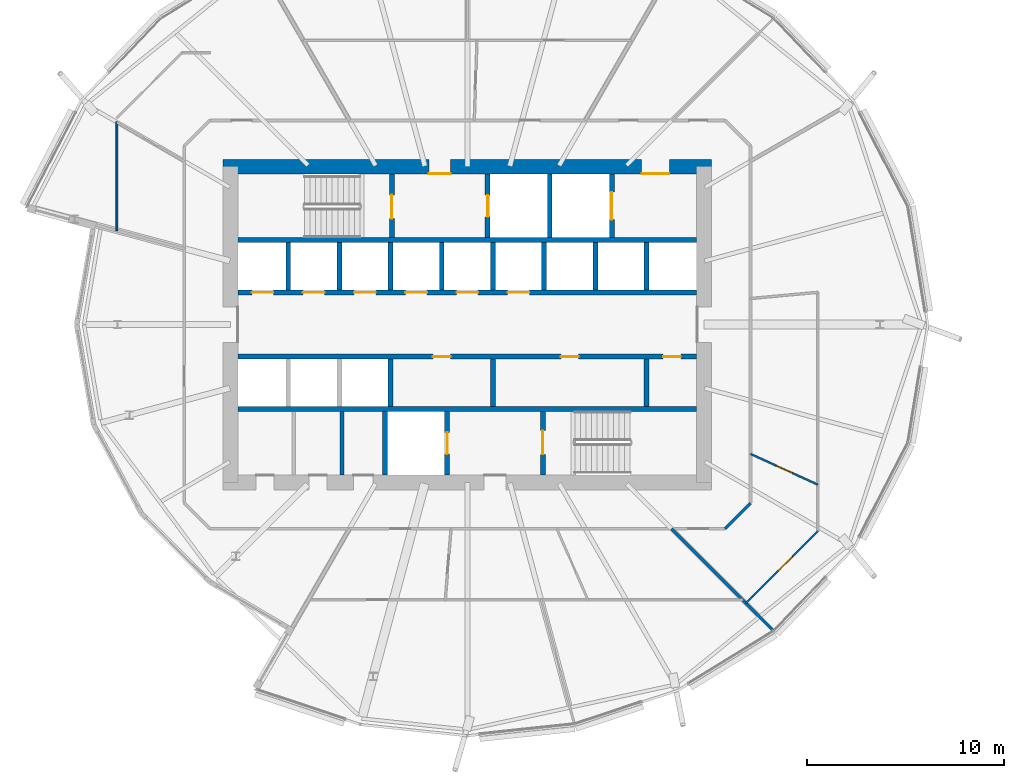
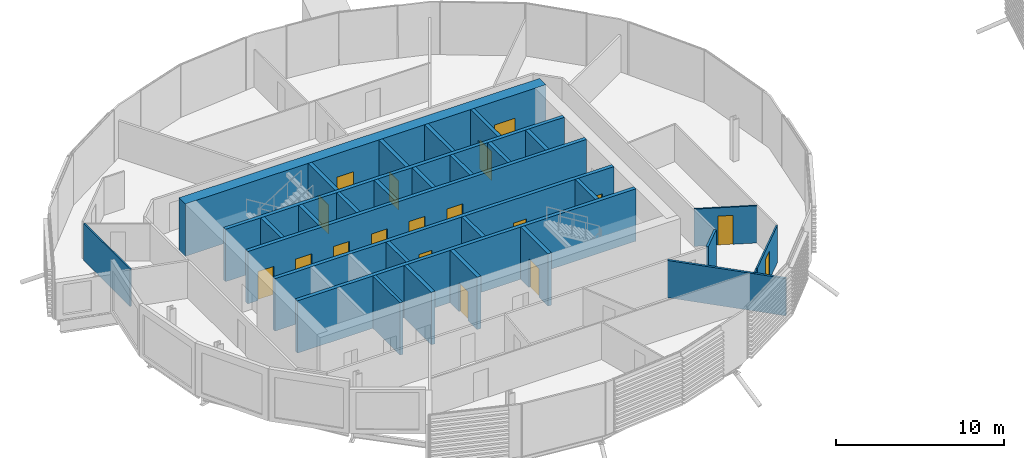
# One storey, part 22 of 38: 30 walls, 18 doors, 18 openings.
"""IFC4 building model written with IfcOpenShell, lengths in metres."""

from ifc_helpers import new_model, si_unit, direction, frame, frame_2d, origin, place, context, subcontext, project, spatial, rectangle, extrude, material, layer, layer_set, type_object, element, fill, save


model = new_model("IFC4")

# Units and contexts
model_context = context("Model", 3, precision=1e-05, world=origin(), true_north=direction((0.0, 1.0)))
body_context = subcontext(model_context, "Body", "Model", "MODEL_VIEW")
ifc_project = project(units=[si_unit("LENGTHUNIT", "METRE"), si_unit("AREAUNIT", "SQUARE_METRE"), si_unit("VOLUMEUNIT", "CUBIC_METRE"), si_unit("PLANEANGLEUNIT", "RADIAN"), si_unit("MASSUNIT", "GRAM", prefix="KILO")], contexts=[model_context])

# Site, building, storey
site_placement = place(None, origin())
site = spatial("IfcSite", under=ifc_project, at=site_placement, CompositionType="ELEMENT")
building_placement = place(site_placement, origin())
building = spatial("IfcBuilding", under=site, at=building_placement, Name="Rimbun Link Towers", CompositionType="ELEMENT")
storey_placement = place(building_placement, frame((0.0, 0.0, 108.199951171875)))
storey = spatial("IfcBuildingStorey", under=building, at=storey_placement, Name="L26", CompositionType="ELEMENT", Elevation=108.199951171875)

# Wall
ifc_material_1 = material(Name="Masonry blockwork", Category="masonry")
ifc_layer_1 = layer(ifc_material_1, 0.199951171875)
ifc_layer_set_1 = layer_set([ifc_layer_1], Name="Core partition 200")
wall_type_1 = type_object("IfcWallType", Name="Core partition 200", PredefinedType="PARTITIONING", material=ifc_layer_set_1)
wall_1_placement = place(storey_placement, frame((-38.10009765625, -4.39990234375, 0.0), z_axis=(0.0, 0.0, 1.0), x_axis=(0.0, -1.0, 0.0)))
element("IfcWall", 1, at=wall_1_placement, inside=storey, type_object=wall_type_1, Name="L26 T1 core wall C2", PredefinedType="PARTITIONING", context=body_context, shape_type="SweptSolid", body=[
    extrude(rectangle(XDim=3.22509765625, YDim=0.199951171875, at=frame_2d((1.612548828125, 0.0))), origin(), (0.0, 0.0, 1.0), 3.800048828125),
])

# Wall, openings, doors
ifc_material_2 = material(Name="Concrete C60/75", Category="concrete")
ifc_layer_2 = layer(ifc_material_2, 0.75)
ifc_layer_set_2 = layer_set([ifc_layer_2], Name="Core shear wall 750")
wall_type_2 = type_object("IfcWallType", Name="Core shear wall 750", PredefinedType="SHEAR", material=ifc_layer_set_2)
wall_2_placement = place(storey_placement, frame((-44.125, 8.0, 0.0), z_axis=(0.0, 0.0, 1.0), x_axis=(1.0, 0.0, 0.0)))
wall_2 = element("IfcWall", 2, at=wall_2_placement, inside=storey, type_object=wall_type_2, Name="L26 T1 core wall N", PredefinedType="SHEAR", context=body_context, shape_type="SweptSolid", body=[
    extrude(rectangle(XDim=24.75, YDim=0.75, at=frame_2d((12.375, 0.0))), origin(), (0.0, 0.0, 1.0), 3.800048828125),
])
opening_1_placement = place(wall_2_placement, frame((10.425048828125, 0.0, 0.0)))
opening_1 = element("IfcOpeningElement", 3, at=opening_1_placement, cuts=wall_2, Name="Opening C1DCF01N", PredefinedType="OPENING", context=body_context, shape_type="SweptSolid", body=[
    extrude(rectangle(XDim=1.10009765625, YDim=2.10009765625, at=frame_2d((0.550048828125, 1.050048828125))), frame((0.0, 0.385009765625, 0.0), z_axis=(0.0, -1.0, 0.0), x_axis=(1.0, 0.0, 0.0)), (0.0, 0.0, 1.0), 0.77001953125),
])
opening_2_placement = place(wall_2_placement, frame((21.21240234375, 0.0, 0.0)))
opening_2 = element("IfcOpeningElement", 4, at=opening_2_placement, cuts=wall_2, Name="Opening C1DSL02N", PredefinedType="OPENING", context=body_context, shape_type="SweptSolid", body=[
    extrude(rectangle(XDim=1.39990234375, YDim=2.10009765625, at=frame_2d((0.699951171875, 1.050048828125))), frame((0.0, 0.385009765625, 0.0), z_axis=(0.0, -1.0, 0.0), x_axis=(1.0, 0.0, 0.0)), (0.0, 0.0, 1.0), 0.77001953125),
])
ifc_material_3 = material(Name="Steel fire door set", Category="steel")
door_type_1 = type_object("IfcDoorType", Name="Core fire door single", OperationType="SINGLE_SWING_LEFT", PredefinedType="DOOR", material=ifc_material_3)
door_1_placement = place(opening_1_placement, origin())
door_1 = element("IfcDoor", 5, at=door_1_placement, inside=storey, type_object=door_type_1, Name="L26 T1 firefighting lobby n door", OperationType="SINGLE_SWING_LEFT", OverallHeight=2.10009765625, OverallWidth=1.10009765625, PredefinedType="DOOR", context=body_context, shape_type="SweptSolid", body=[
    extrude(rectangle(XDim=1.10009765625, YDim=2.10009765625, at=frame_2d((0.550048828125, 1.050048828125))), frame((0.0, -0.3251953125, 0.0), z_axis=(0.0, -1.0, 0.0), x_axis=(1.0, 0.0, 0.0)), (0.0, 0.0, 1.0), 0.050048828125),
])
fill(opening_1, door_1)
ifc_material_4 = material(Name="Steel fire door set", Category="steel")
door_type_2 = type_object("IfcDoorType", Name="Service lobby door double", OperationType="DOUBLE_DOOR_SINGLE_SWING", PredefinedType="DOOR", material=ifc_material_4)
door_2_placement = place(opening_2_placement, origin())
door_2 = element("IfcDoor", 6, at=door_2_placement, inside=storey, type_object=door_type_2, Name="L26 T1 service lobby door", OperationType="DOUBLE_DOOR_SINGLE_SWING", OverallHeight=2.10009765625, OverallWidth=1.39990234375, PredefinedType="DOOR", context=body_context, shape_type="SweptSolid", body=[
    extrude(rectangle(XDim=1.39990234375, YDim=2.10009765625, at=frame_2d((0.699951171875, 1.050048828125))), frame((0.0, -0.3251953125, 0.0), z_axis=(0.0, -1.0, 0.0), x_axis=(1.0, 0.0, 0.0)), (0.0, 0.0, 1.0), 0.050048828125),
])
fill(opening_2, door_2)

# Wall
ifc_material_5 = material(Name="Plasterboard on steel stud, mineral wool", Category="steel")
ifc_layer_3 = layer(ifc_material_5, 0.14990234375)
ifc_layer_set_3 = layer_set([ifc_layer_3], Name="Corridor wall EI 30 150 mm")
wall_type_3 = type_object("IfcWallType", Name="Corridor wall EI 30 150 mm", PredefinedType="PARTITIONING", material=ifc_layer_set_3)
wall_3_placement = place(storey_placement, frame((-18.6982421875, -10.35009765625, 0.0), z_axis=(0.0, 0.0, 1.0), x_axis=(0.707106781187, 0.707106781187, 0.0)))
element("IfcWall", 7, at=wall_3_placement, inside=storey, type_object=wall_type_3, Name="Corridor wall EI 30 150 mm", PredefinedType="PARTITIONING", context=body_context, shape_type="SweptSolid", body=[
    extrude(rectangle(XDim=1.836181640625, YDim=0.14990234375, at=frame_2d((0.91796875, 0.0))), origin(), (0.0, 0.0, 1.0), 2.7021484375),
])

# Wall, opening, door
ifc_material_6 = material(Name="Plasterboard on steel stud", Category="steel")
ifc_layer_4 = layer(ifc_material_6, 0.10009765625)
ifc_layer_set_4 = layer_set([ifc_layer_4], Name="Plasterboard partition 100 mm")
wall_type_4 = type_object("IfcWallType", Name="Plasterboard partition 100 mm", PredefinedType="PARTITIONING", material=ifc_layer_set_4)
wall_4_placement = place(storey_placement, frame((-17.39990234375, -6.555908203125, 0.0), z_axis=(0.0, 0.0, 1.0), x_axis=(0.909564245238, -0.415563333061, 0.0)))
wall_4 = element("IfcWall", 8, at=wall_4_placement, inside=storey, type_object=wall_type_4, Name="Plasterboard partition 100 mm", PredefinedType="PARTITIONING", context=body_context, shape_type="SweptSolid", body=[
    extrude(rectangle(XDim=3.760009765625, YDim=0.10009765625, at=frame_2d((1.8798828125, 0.0))), origin(), (0.0, 0.0, 1.0), 2.7021484375),
])
opening_3_placement = place(wall_4_placement, frame((1.429931640625, 0.0, 0.0)))
opening_3 = element("IfcOpeningElement", 9, at=opening_3_placement, cuts=wall_4, Name="Opening D04", PredefinedType="OPENING", context=body_context, shape_type="SweptSolid", body=[
    extrude(rectangle(XDim=0.89990234375, YDim=2.10009765625, at=frame_2d((0.449951171875, 1.050048828125))), frame((0.0, 0.06005859375, 0.0), z_axis=(0.0, -1.0, 0.0), x_axis=(1.0, 0.0, 0.0)), (0.0, 0.0, 1.0), 0.1201171875),
])
ifc_material_7 = material(Name="Timber door leaf", Category="wood")
door_type_3 = type_object("IfcDoorType", Name="Flush door 900", OperationType="NOTDEFINED", PredefinedType="DOOR", material=ifc_material_7)
door_3_placement = place(opening_3_placement, origin())
door_3 = element("IfcDoor", 10, at=door_3_placement, inside=storey, type_object=door_type_3, Name="Flush door 900 to Meeting room", OperationType="SINGLE_SWING_LEFT", OverallHeight=2.10009765625, OverallWidth=0.89990234375, PredefinedType="DOOR", context=body_context, shape_type="SweptSolid", body=[
    extrude(rectangle(XDim=0.89990234375, YDim=2.10009765625, at=frame_2d((0.449951171875, 1.050048828125))), frame((0.0, 0.02490234375, 0.0), z_axis=(0.0, -1.0, 0.0), x_axis=(1.0, 0.0, 0.0)), (0.0, 0.0, 1.0), 0.050048828125),
])
fill(opening_3, door_3)

wall_5_placement = place(storey_placement, frame((-13.97998046875, -10.46826171875, 0.0), z_axis=(0.0, 0.0, 1.0), x_axis=(-0.707106781187, -0.707106781187, 0.0)))
wall_5 = element("IfcWall", 11, at=wall_5_placement, inside=storey, type_object=wall_type_4, Name="Plasterboard partition 100 mm", PredefinedType="PARTITIONING", context=body_context, shape_type="SweptSolid", body=[
    extrude(rectangle(XDim=4.66943359375, YDim=0.10009765625, at=frame_2d((2.334716796875, 0.0))), origin(), (0.0, 0.0, 1.0), 2.7021484375),
])
opening_4_placement = place(wall_5_placement, frame((1.834716796875, 0.0, 0.0)))
opening_4 = element("IfcOpeningElement", 12, at=opening_4_placement, cuts=wall_5, Name="Opening D03", PredefinedType="OPENING", context=body_context, shape_type="SweptSolid", body=[
    extrude(rectangle(XDim=1.0, YDim=2.10009765625, at=frame_2d((0.5, 1.050048828125))), frame((0.0, 0.06005859375, 0.0), z_axis=(0.0, -1.0, 0.0), x_axis=(1.0, 0.0, 0.0)), (0.0, 0.0, 1.0), 0.1201171875),
])
ifc_material_8 = material(Name="Timber door leaf", Category="wood")
door_type_4 = type_object("IfcDoorType", Name="Flush door 1000", OperationType="NOTDEFINED", PredefinedType="DOOR", material=ifc_material_8)
door_4_placement = place(opening_4_placement, origin())
door_4 = element("IfcDoor", 13, at=door_4_placement, inside=storey, type_object=door_type_4, Name="Flush door 1000 to Open office", OperationType="SINGLE_SWING_RIGHT", OverallHeight=2.10009765625, OverallWidth=1.0, PredefinedType="DOOR", context=body_context, shape_type="SweptSolid", body=[
    extrude(rectangle(XDim=1.0, YDim=2.10009765625, at=frame_2d((0.5, 1.050048828125))), frame((0.0, 0.02490234375, 0.0), z_axis=(0.0, -1.0, 0.0), x_axis=(1.0, 0.0, 0.0)), (0.0, 0.0, 1.0), 0.050048828125),
])
fill(opening_4, door_4)

# Walls
wall_6_placement = place(storey_placement, frame((-17.630859375, -14.119140625, 0.0), z_axis=(0.0, 0.0, 1.0), x_axis=(0.707106781187, 0.707106781187, 0.0)))
element("IfcWall", 14, at=wall_6_placement, inside=storey, type_object=wall_type_4, Name="Plasterboard partition 100 mm", PredefinedType="PARTITIONING", context=body_context, shape_type="SweptSolid", body=[
    extrude(rectangle(XDim=0.49365234375, YDim=0.10009765625, at=frame_2d((0.246826171875, 0.0))), origin(), (0.0, 0.0, 1.0), 2.7021484375),
])
wall_7_placement = place(storey_placement, frame((-49.52001953125, 10.2705078125, 0.0), z_axis=(0.0, 0.0, 1.0), x_axis=(0.0, -1.0, 0.0)))
element("IfcWall", 15, at=wall_7_placement, inside=storey, type_object=wall_type_4, Name="Plasterboard partition 100 mm", PredefinedType="PARTITIONING", context=body_context, shape_type="SweptSolid", body=[
    extrude(rectangle(XDim=5.509033203125, YDim=0.10009765625, at=frame_2d((2.75439453125, 0.0))), origin(), (0.0, 0.0, 1.0), 2.7021484375),
])
ifc_material_9 = material(Name="Concrete C60/75", Category="concrete")
ifc_layer_5 = layer(ifc_material_9, 0.25)
ifc_layer_set_5 = layer_set([ifc_layer_5], Name="Shaft wall 250")
wall_type_5 = type_object("IfcWallType", Name="Shaft wall 250", PredefinedType="SHEAR", material=ifc_layer_set_5)
for number, where, z_axis, x_axis, name in (
    (16, (-43.375, 4.27490234375, 0.0), (0.0, 0.0, 1.0), (1.0, 0.0, 0.0), "L26 T1 core wall BN"),
    (17, (-43.375, -4.27490234375, 0.0), (0.0, 0.0, 1.0), (1.0, 0.0, 0.0), "L26 T1 core wall BS"),
):
    element("IfcWall", number, at=place(storey_placement, frame(where, z_axis=z_axis, x_axis=x_axis)), inside=storey, type_object=wall_type_5, Name=name, PredefinedType="SHEAR", context=body_context, shape_type="SweptSolid", body=[
        extrude(rectangle(XDim=23.25, YDim=0.25, at=frame_2d((11.625, 0.0))), origin(), (0.0, 0.0, 1.0), 3.800048828125),
    ])

# Wall, openings, doors
wall_8_placement = place(storey_placement, frame((-43.375, 1.625, 0.0), z_axis=(0.0, 0.0, 1.0), x_axis=(1.0, 0.0, 0.0)))
wall_8 = element("IfcWall", 18, at=wall_8_placement, inside=storey, type_object=wall_type_5, Name="L26 T1 core wall FN", PredefinedType="SHEAR", context=body_context, shape_type="SweptSolid", body=[
    extrude(rectangle(XDim=23.25, YDim=0.25, at=frame_2d((11.625, 0.0))), origin(), (0.0, 0.0, 1.0), 3.800048828125),
])
opening_5_placement = place(wall_8_placement, frame((0.697265625, 0.0, 0.0)))
opening_5 = element("IfcOpeningElement", 19, at=opening_5_placement, cuts=wall_8, Name="Opening LD-T1-LR1", PredefinedType="OPENING", context=body_context, shape_type="SweptSolid", body=[
    extrude(rectangle(XDim=1.10009765625, YDim=2.10009765625, at=frame_2d((0.550048828125, 1.050048828125))), frame((0.0, 0.135009765625, 0.0), z_axis=(0.0, -1.0, 0.0), x_axis=(1.0, 0.0, 0.0)), (0.0, 0.0, 1.0), 0.27001953125),
])
opening_6_placement = place(wall_8_placement, frame((3.291748046875, 0.0, 0.0)))
opening_6 = element("IfcOpeningElement", 20, at=opening_6_placement, cuts=wall_8, Name="Opening LD-T1-LR2", PredefinedType="OPENING", context=body_context, shape_type="SweptSolid", body=[
    extrude(rectangle(XDim=1.10009765625, YDim=2.10009765625, at=frame_2d((0.550048828125, 1.050048828125))), frame((0.0, 0.135009765625, 0.0), z_axis=(0.0, -1.0, 0.0), x_axis=(1.0, 0.0, 0.0)), (0.0, 0.0, 1.0), 0.27001953125),
])
opening_7_placement = place(wall_8_placement, frame((5.885986328125, 0.0, 0.0)))
opening_7 = element("IfcOpeningElement", 21, at=opening_7_placement, cuts=wall_8, Name="Opening LD-T1-LR3", PredefinedType="OPENING", context=body_context, shape_type="SweptSolid", body=[
    extrude(rectangle(XDim=1.10009765625, YDim=2.10009765625, at=frame_2d((0.550048828125, 1.050048828125))), frame((0.0, 0.135009765625, 0.0), z_axis=(0.0, -1.0, 0.0), x_axis=(1.0, 0.0, 0.0)), (0.0, 0.0, 1.0), 0.27001953125),
])
opening_8_placement = place(wall_8_placement, frame((8.480712890625, 0.0, 0.0)))
opening_8 = element("IfcOpeningElement", 22, at=opening_8_placement, cuts=wall_8, Name="Opening LD-T1-LR4", PredefinedType="OPENING", context=body_context, shape_type="SweptSolid", body=[
    extrude(rectangle(XDim=1.10009765625, YDim=2.10009765625, at=frame_2d((0.550048828125, 1.050048828125))), frame((0.0, 0.135009765625, 0.0), z_axis=(0.0, -1.0, 0.0), x_axis=(1.0, 0.0, 0.0)), (0.0, 0.0, 1.0), 0.27001953125),
])
opening_9_placement = place(wall_8_placement, frame((11.074951171875, 0.0, 0.0)))
opening_9 = element("IfcOpeningElement", 23, at=opening_9_placement, cuts=wall_8, Name="Opening LD-T1-LR5", PredefinedType="OPENING", context=body_context, shape_type="SweptSolid", body=[
    extrude(rectangle(XDim=1.10009765625, YDim=2.10009765625, at=frame_2d((0.550048828125, 1.050048828125))), frame((0.0, 0.135009765625, 0.0), z_axis=(0.0, -1.0, 0.0), x_axis=(1.0, 0.0, 0.0)), (0.0, 0.0, 1.0), 0.27001953125),
])
opening_10_placement = place(wall_8_placement, frame((13.66943359375, 0.0, 0.0)))
opening_10 = element("IfcOpeningElement", 24, at=opening_10_placement, cuts=wall_8, Name="Opening LD-T1-LR6", PredefinedType="OPENING", context=body_context, shape_type="SweptSolid", body=[
    extrude(rectangle(XDim=1.10009765625, YDim=2.10009765625, at=frame_2d((0.550048828125, 1.050048828125))), frame((0.0, 0.135009765625, 0.0), z_axis=(0.0, -1.0, 0.0), x_axis=(1.0, 0.0, 0.0)), (0.0, 0.0, 1.0), 0.27001953125),
])
ifc_material_10 = material(Name="Stainless steel grade 316", Category="steel")
door_type_5 = type_object("IfcDoorType", Name="Lift landing door", OperationType="DOUBLE_DOOR_SLIDING", PredefinedType="DOOR", material=ifc_material_10)
door_5_placement = place(opening_5_placement, origin())
door_5 = element("IfcDoor", 25, at=door_5_placement, inside=storey, type_object=door_type_5, Name="L26 T1 lift LR1 landing door", OperationType="DOUBLE_DOOR_SLIDING", OverallHeight=2.10009765625, OverallWidth=1.10009765625, PredefinedType="DOOR", context=body_context, shape_type="SweptSolid", body=[
    extrude(rectangle(XDim=1.10009765625, YDim=2.10009765625, at=frame_2d((0.550048828125, 1.050048828125))), frame((0.0, 0.02490234375, 0.0), z_axis=(0.0, -1.0, 0.0), x_axis=(1.0, 0.0, 0.0)), (0.0, 0.0, 1.0), 0.050048828125),
])
fill(opening_5, door_5)
door_6_placement = place(opening_6_placement, origin())
door_6 = element("IfcDoor", 26, at=door_6_placement, inside=storey, type_object=door_type_5, Name="L26 T1 lift LR2 landing door", OperationType="DOUBLE_DOOR_SLIDING", OverallHeight=2.10009765625, OverallWidth=1.10009765625, PredefinedType="DOOR", context=body_context, shape_type="SweptSolid", body=[
    extrude(rectangle(XDim=1.10009765625, YDim=2.10009765625, at=frame_2d((0.550048828125, 1.050048828125))), frame((0.0, 0.02490234375, 0.0), z_axis=(0.0, -1.0, 0.0), x_axis=(1.0, 0.0, 0.0)), (0.0, 0.0, 1.0), 0.050048828125),
])
fill(opening_6, door_6)
door_7_placement = place(opening_7_placement, origin())
door_7 = element("IfcDoor", 27, at=door_7_placement, inside=storey, type_object=door_type_5, Name="L26 T1 lift LR3 landing door", OperationType="DOUBLE_DOOR_SLIDING", OverallHeight=2.10009765625, OverallWidth=1.10009765625, PredefinedType="DOOR", context=body_context, shape_type="SweptSolid", body=[
    extrude(rectangle(XDim=1.10009765625, YDim=2.10009765625, at=frame_2d((0.550048828125, 1.050048828125))), frame((0.0, 0.02490234375, 0.0), z_axis=(0.0, -1.0, 0.0), x_axis=(1.0, 0.0, 0.0)), (0.0, 0.0, 1.0), 0.050048828125),
])
fill(opening_7, door_7)
door_8_placement = place(opening_8_placement, origin())
door_8 = element("IfcDoor", 28, at=door_8_placement, inside=storey, type_object=door_type_5, Name="L26 T1 lift LR4 landing door", OperationType="DOUBLE_DOOR_SLIDING", OverallHeight=2.10009765625, OverallWidth=1.10009765625, PredefinedType="DOOR", context=body_context, shape_type="SweptSolid", body=[
    extrude(rectangle(XDim=1.10009765625, YDim=2.10009765625, at=frame_2d((0.550048828125, 1.050048828125))), frame((0.0, 0.02490234375, 0.0), z_axis=(0.0, -1.0, 0.0), x_axis=(1.0, 0.0, 0.0)), (0.0, 0.0, 1.0), 0.050048828125),
])
fill(opening_8, door_8)
door_9_placement = place(opening_9_placement, origin())
door_9 = element("IfcDoor", 29, at=door_9_placement, inside=storey, type_object=door_type_5, Name="L26 T1 lift LR5 landing door", OperationType="DOUBLE_DOOR_SLIDING", OverallHeight=2.10009765625, OverallWidth=1.10009765625, PredefinedType="DOOR", context=body_context, shape_type="SweptSolid", body=[
    extrude(rectangle(XDim=1.10009765625, YDim=2.10009765625, at=frame_2d((0.550048828125, 1.050048828125))), frame((0.0, 0.02490234375, 0.0), z_axis=(0.0, -1.0, 0.0), x_axis=(1.0, 0.0, 0.0)), (0.0, 0.0, 1.0), 0.050048828125),
])
fill(opening_9, door_9)
door_10_placement = place(opening_10_placement, origin())
door_10 = element("IfcDoor", 30, at=door_10_placement, inside=storey, type_object=door_type_5, Name="L26 T1 lift LR6 landing door", OperationType="DOUBLE_DOOR_SLIDING", OverallHeight=2.10009765625, OverallWidth=1.10009765625, PredefinedType="DOOR", context=body_context, shape_type="SweptSolid", body=[
    extrude(rectangle(XDim=1.10009765625, YDim=2.10009765625, at=frame_2d((0.550048828125, 1.050048828125))), frame((0.0, 0.02490234375, 0.0), z_axis=(0.0, -1.0, 0.0), x_axis=(1.0, 0.0, 0.0)), (0.0, 0.0, 1.0), 0.050048828125),
])
fill(opening_10, door_10)

wall_9_placement = place(storey_placement, frame((-43.375, -1.625, 0.0), z_axis=(0.0, 0.0, 1.0), x_axis=(1.0, 0.0, 0.0)))
wall_9 = element("IfcWall", 31, at=wall_9_placement, inside=storey, type_object=wall_type_5, Name="L26 T1 core wall FS", PredefinedType="SHEAR", context=body_context, shape_type="SweptSolid", body=[
    extrude(rectangle(XDim=23.25, YDim=0.25, at=frame_2d((11.625, 0.0))), origin(), (0.0, 0.0, 1.0), 3.800048828125),
])
opening_11_placement = place(wall_9_placement, frame((9.877685546875, 0.0, 0.0)))
opening_11 = element("IfcOpeningElement", 32, at=opening_11_placement, cuts=wall_9, Name="Opening C1DRS01FS", PredefinedType="OPENING", context=body_context, shape_type="SweptSolid", body=[
    extrude(rectangle(XDim=0.89990234375, YDim=2.10009765625, at=frame_2d((0.449951171875, 1.050048828125))), frame((0.0, 0.135009765625, 0.0), z_axis=(0.0, -1.0, 0.0), x_axis=(1.0, 0.0, 0.0)), (0.0, 0.0, 1.0), 0.27001953125),
])
opening_12_placement = place(wall_9_placement, frame((16.364013671875, 0.0, 0.0)))
opening_12 = element("IfcOpeningElement", 33, at=opening_12_placement, cuts=wall_9, Name="Opening C1DRS02FS", PredefinedType="OPENING", context=body_context, shape_type="SweptSolid", body=[
    extrude(rectangle(XDim=0.89990234375, YDim=2.10009765625, at=frame_2d((0.449951171875, 1.050048828125))), frame((0.0, 0.135009765625, 0.0), z_axis=(0.0, -1.0, 0.0), x_axis=(1.0, 0.0, 0.0)), (0.0, 0.0, 1.0), 0.27001953125),
])
opening_13_placement = place(wall_9_placement, frame((21.552734375, 0.0, 0.0)))
opening_13 = element("IfcOpeningElement", 34, at=opening_13_placement, cuts=wall_9, Name="Opening C1DRS03FS", PredefinedType="OPENING", context=body_context, shape_type="SweptSolid", body=[
    extrude(rectangle(XDim=0.89990234375, YDim=2.10009765625, at=frame_2d((0.449951171875, 1.050048828125))), frame((0.0, 0.135009765625, 0.0), z_axis=(0.0, -1.0, 0.0), x_axis=(1.0, 0.0, 0.0)), (0.0, 0.0, 1.0), 0.27001953125),
])
ifc_material_11 = material(Name="Steel fire door set", Category="steel")
door_type_6 = type_object("IfcDoorType", Name="Core riser door", OperationType="SINGLE_SWING_LEFT", PredefinedType="DOOR", material=ifc_material_11)
door_11_placement = place(opening_11_placement, origin())
door_11 = element("IfcDoor", 35, at=door_11_placement, inside=storey, type_object=door_type_6, Name="L26 T1 pantry door", OperationType="SINGLE_SWING_LEFT", OverallHeight=2.10009765625, OverallWidth=0.89990234375, PredefinedType="DOOR", context=body_context, shape_type="SweptSolid", body=[
    extrude(rectangle(XDim=0.89990234375, YDim=2.10009765625, at=frame_2d((0.449951171875, 1.050048828125))), frame((0.0, 0.02490234375, 0.0), z_axis=(0.0, -1.0, 0.0), x_axis=(1.0, 0.0, 0.0)), (0.0, 0.0, 1.0), 0.050048828125),
])
fill(opening_11, door_11)
door_12_placement = place(opening_12_placement, origin())
door_12 = element("IfcDoor", 36, at=door_12_placement, inside=storey, type_object=door_type_6, Name="L26 T1 wellness room door", OperationType="SINGLE_SWING_LEFT", OverallHeight=2.10009765625, OverallWidth=0.89990234375, PredefinedType="DOOR", context=body_context, shape_type="SweptSolid", body=[
    extrude(rectangle(XDim=0.89990234375, YDim=2.10009765625, at=frame_2d((0.449951171875, 1.050048828125))), frame((0.0, 0.02490234375, 0.0), z_axis=(0.0, -1.0, 0.0), x_axis=(1.0, 0.0, 0.0)), (0.0, 0.0, 1.0), 0.050048828125),
])
fill(opening_12, door_12)
door_13_placement = place(opening_13_placement, origin())
door_13 = element("IfcDoor", 37, at=door_13_placement, inside=storey, type_object=door_type_6, Name="L26 T1 staff store door", OperationType="SINGLE_SWING_LEFT", OverallHeight=2.10009765625, OverallWidth=0.89990234375, PredefinedType="DOOR", context=body_context, shape_type="SweptSolid", body=[
    extrude(rectangle(XDim=0.89990234375, YDim=2.10009765625, at=frame_2d((0.449951171875, 1.050048828125))), frame((0.0, 0.02490234375, 0.0), z_axis=(0.0, -1.0, 0.0), x_axis=(1.0, 0.0, 0.0)), (0.0, 0.0, 1.0), 0.050048828125),
])
fill(opening_13, door_13)

# Walls
for number, where, z_axis, x_axis, name in (
    (38, (-40.83056640625, 1.75, 0.0), (0.0, 0.0, 1.0), (0.0, 1.0, 0.0), "L26 T1 core wall DN0"),
    (39, (-38.236083984375, 1.75, 0.0), (0.0, 0.0, 1.0), (0.0, 1.0, 0.0), "L26 T1 core wall DN1"),
    (40, (-35.6416015625, 1.75, 0.0), (0.0, 0.0, 1.0), (0.0, 1.0, 0.0), "L26 T1 core wall DN2"),
    (41, (-33.047119140625, 1.75, 0.0), (0.0, 0.0, 1.0), (0.0, 1.0, 0.0), "L26 T1 core wall DN3"),
    (42, (-30.452880859375, 1.75, 0.0), (0.0, 0.0, 1.0), (0.0, 1.0, 0.0), "L26 T1 core wall DN4"),
    (43, (-27.8583984375, 1.75, 0.0), (0.0, 0.0, 1.0), (0.0, 1.0, 0.0), "L26 T1 core wall DN5"),
    (44, (-25.263916015625, 1.75, 0.0), (0.0, 0.0, 1.0), (0.0, 1.0, 0.0), "L26 T1 core wall DN6"),
    (45, (-22.66943359375, 1.75, 0.0), (0.0, 0.0, 1.0), (0.0, 1.0, 0.0), "L26 T1 core wall DN7"),
    (46, (-35.6416015625, -4.14990234375, 0.0), (0.0, 0.0, 1.0), (0.0, 1.0, 0.0), "L26 T1 core wall DS2"),
    (47, (-30.452880859375, -4.14990234375, 0.0), (0.0, 0.0, 1.0), (0.0, 1.0, 0.0), "L26 T1 core wall DS4"),
    (48, (-22.66943359375, -4.14990234375, 0.0), (0.0, 0.0, 1.0), (0.0, 1.0, 0.0), "L26 T1 core wall DS7"),
):
    element("IfcWall", number, at=place(storey_placement, frame(where, z_axis=z_axis, x_axis=x_axis)), inside=storey, type_object=wall_type_5, Name=name, PredefinedType="SHEAR", context=body_context, shape_type="SweptSolid", body=[
        extrude(rectangle(XDim=2.39990234375, YDim=0.25, at=frame_2d((1.199951171875, 0.0))), origin(), (0.0, 0.0, 1.0), 3.800048828125),
    ])

# Wall, opening, door
wall_10_placement = place(storey_placement, frame((-35.574951171875, 4.39990234375, 0.0), z_axis=(0.0, 0.0, 1.0), x_axis=(0.0, 1.0, 0.0)))
wall_10 = element("IfcWall", 49, at=wall_10_placement, inside=storey, type_object=wall_type_5, Name="L26 T1 core wall A1", PredefinedType="SHEAR", context=body_context, shape_type="SweptSolid", body=[
    extrude(rectangle(XDim=3.22509765625, YDim=0.25, at=frame_2d((1.612548828125, 0.0))), origin(), (0.0, 0.0, 1.0), 3.800048828125),
])
opening_14_placement = place(wall_10_placement, frame((0.97509765625, 0.0, 0.0)))
opening_14 = element("IfcOpeningElement", 50, at=opening_14_placement, cuts=wall_10, Name="Opening C1DST01A1", PredefinedType="OPENING", context=body_context, shape_type="SweptSolid", body=[
    extrude(rectangle(XDim=1.199951171875, YDim=2.10009765625, at=frame_2d((0.60009765625, 1.050048828125))), frame((0.0, 0.135009765625, 0.0), z_axis=(0.0, -1.0, 0.0), x_axis=(1.0, 0.0, 0.0)), (0.0, 0.0, 1.0), 0.27001953125),
])
ifc_material_12 = material(Name="Steel fire door set", Category="steel")
door_type_7 = type_object("IfcDoorType", Name="Stair door", OperationType="SINGLE_SWING_LEFT", PredefinedType="DOOR", material=ifc_material_12)
door_14_placement = place(opening_14_placement, origin())
door_14 = element("IfcDoor", 51, at=door_14_placement, inside=storey, type_object=door_type_7, Name="L26 T1 stair a door", OperationType="SINGLE_SWING_RIGHT", OverallHeight=2.10009765625, OverallWidth=1.199951171875, PredefinedType="DOOR", context=body_context, shape_type="SweptSolid", body=[
    extrude(rectangle(XDim=1.199951171875, YDim=2.10009765625, at=frame_2d((0.60009765625, 1.050048828125))), frame((0.0, 0.02490234375, 0.0), z_axis=(0.0, -1.0, 0.0), x_axis=(1.0, 0.0, 0.0)), (0.0, 0.0, 1.0), 0.050048828125),
])
fill(opening_14, door_14)

wall_11_placement = place(storey_placement, frame((-30.72509765625, 4.39990234375, 0.0), z_axis=(0.0, 0.0, 1.0), x_axis=(0.0, 1.0, 0.0)))
wall_11 = element("IfcWall", 52, at=wall_11_placement, inside=storey, type_object=wall_type_5, Name="L26 T1 core wall A2", PredefinedType="SHEAR", context=body_context, shape_type="SweptSolid", body=[
    extrude(rectangle(XDim=3.22509765625, YDim=0.25, at=frame_2d((1.612548828125, 0.0))), origin(), (0.0, 0.0, 1.0), 3.800048828125),
])
opening_15_placement = place(wall_11_placement, frame((1.0625, 0.0, 0.0)))
opening_15 = element("IfcOpeningElement", 53, at=opening_15_placement, cuts=wall_11, Name="Opening LD-T1-FF1", PredefinedType="OPENING", context=body_context, shape_type="SweptSolid", body=[
    extrude(rectangle(XDim=1.10009765625, YDim=2.10009765625, at=frame_2d((0.550048828125, 1.050048828125))), frame((0.0, 0.135009765625, 0.0), z_axis=(0.0, -1.0, 0.0), x_axis=(1.0, 0.0, 0.0)), (0.0, 0.0, 1.0), 0.27001953125),
])
door_15_placement = place(opening_15_placement, origin())
door_15 = element("IfcDoor", 54, at=door_15_placement, inside=storey, type_object=door_type_5, Name="L26 T1 lift FF1 landing door", OperationType="DOUBLE_DOOR_SLIDING", OverallHeight=2.10009765625, OverallWidth=1.10009765625, PredefinedType="DOOR", context=body_context, shape_type="SweptSolid", body=[
    extrude(rectangle(XDim=1.10009765625, YDim=2.10009765625, at=frame_2d((0.550048828125, 1.050048828125))), frame((0.0, 0.02490234375, 0.0), z_axis=(0.0, -1.0, 0.0), x_axis=(1.0, 0.0, 0.0)), (0.0, 0.0, 1.0), 0.050048828125),
])
fill(opening_15, door_15)

# Wall
wall_12_placement = place(storey_placement, frame((-27.574951171875, 4.39990234375, 0.0), z_axis=(0.0, 0.0, 1.0), x_axis=(0.0, 1.0, 0.0)))
element("IfcWall", 55, at=wall_12_placement, inside=storey, type_object=wall_type_5, Name="L26 T1 core wall A3", PredefinedType="SHEAR", context=body_context, shape_type="SweptSolid", body=[
    extrude(rectangle(XDim=3.22509765625, YDim=0.25, at=frame_2d((1.612548828125, 0.0))), origin(), (0.0, 0.0, 1.0), 3.800048828125),
])

# Wall, opening, door
wall_13_placement = place(storey_placement, frame((-24.425048828125, 4.39990234375, 0.0), z_axis=(0.0, 0.0, 1.0), x_axis=(0.0, 1.0, 0.0)))
wall_13 = element("IfcWall", 56, at=wall_13_placement, inside=storey, type_object=wall_type_5, Name="L26 T1 core wall A4", PredefinedType="SHEAR", context=body_context, shape_type="SweptSolid", body=[
    extrude(rectangle(XDim=3.22509765625, YDim=0.25, at=frame_2d((1.612548828125, 0.0))), origin(), (0.0, 0.0, 1.0), 3.800048828125),
])
opening_16_placement = place(wall_13_placement, frame((0.91259765625, 0.0, 0.0)))
opening_16 = element("IfcOpeningElement", 57, at=opening_16_placement, cuts=wall_13, Name="Opening LD-T1-GL1", PredefinedType="OPENING", context=body_context, shape_type="SweptSolid", body=[
    extrude(rectangle(XDim=1.39990234375, YDim=2.10009765625, at=frame_2d((0.699951171875, 1.050048828125))), frame((0.0, 0.135009765625, 0.0), z_axis=(0.0, -1.0, 0.0), x_axis=(1.0, 0.0, 0.0)), (0.0, 0.0, 1.0), 0.27001953125),
])
ifc_material_13 = material(Name="Stainless steel grade 316", Category="steel")
door_type_8 = type_object("IfcDoorType", Name="Goods lift landing door", OperationType="DOUBLE_DOOR_SLIDING", PredefinedType="DOOR", material=ifc_material_13)
door_16_placement = place(opening_16_placement, origin())
door_16 = element("IfcDoor", 58, at=door_16_placement, inside=storey, type_object=door_type_8, Name="L26 T1 lift GL1 landing door", OperationType="DOUBLE_DOOR_SLIDING", OverallHeight=2.10009765625, OverallWidth=1.39990234375, PredefinedType="DOOR", context=body_context, shape_type="SweptSolid", body=[
    extrude(rectangle(XDim=1.39990234375, YDim=2.10009765625, at=frame_2d((0.699951171875, 1.050048828125))), frame((0.0, 0.02490234375, 0.0), z_axis=(0.0, -1.0, 0.0), x_axis=(1.0, 0.0, 0.0)), (0.0, 0.0, 1.0), 0.050048828125),
])
fill(opening_16, door_16)

wall_14_placement = place(storey_placement, frame((-27.925048828125, -4.39990234375, 0.0), z_axis=(0.0, 0.0, 1.0), x_axis=(0.0, -1.0, 0.0)))
wall_14 = element("IfcWall", 59, at=wall_14_placement, inside=storey, type_object=wall_type_5, Name="L26 T1 core wall B1", PredefinedType="SHEAR", context=body_context, shape_type="SweptSolid", body=[
    extrude(rectangle(XDim=3.22509765625, YDim=0.25, at=frame_2d((1.612548828125, 0.0))), origin(), (0.0, 0.0, 1.0), 3.800048828125),
])
opening_17_placement = place(wall_14_placement, frame((0.97509765625, 0.0, 0.0)))
opening_17 = element("IfcOpeningElement", 60, at=opening_17_placement, cuts=wall_14, Name="Opening C1DST01B1", PredefinedType="OPENING", context=body_context, shape_type="SweptSolid", body=[
    extrude(rectangle(XDim=1.199951171875, YDim=2.10009765625, at=frame_2d((0.60009765625, 1.050048828125))), frame((0.0, 0.135009765625, 0.0), z_axis=(0.0, -1.0, 0.0), x_axis=(1.0, 0.0, 0.0)), (0.0, 0.0, 1.0), 0.27001953125),
])
door_17_placement = place(opening_17_placement, origin())
door_17 = element("IfcDoor", 61, at=door_17_placement, inside=storey, type_object=door_type_7, Name="L26 T1 stair b door", OperationType="SINGLE_SWING_RIGHT", OverallHeight=2.10009765625, OverallWidth=1.199951171875, PredefinedType="DOOR", context=body_context, shape_type="SweptSolid", body=[
    extrude(rectangle(XDim=1.199951171875, YDim=2.10009765625, at=frame_2d((0.60009765625, 1.050048828125))), frame((0.0, 0.02490234375, 0.0), z_axis=(0.0, -1.0, 0.0), x_axis=(1.0, 0.0, 0.0)), (0.0, 0.0, 1.0), 0.050048828125),
])
fill(opening_17, door_17)

wall_15_placement = place(storey_placement, frame((-32.77490234375, -4.39990234375, 0.0), z_axis=(0.0, 0.0, 1.0), x_axis=(0.0, -1.0, 0.0)))
wall_15 = element("IfcWall", 62, at=wall_15_placement, inside=storey, type_object=wall_type_5, Name="L26 T1 core wall B2", PredefinedType="SHEAR", context=body_context, shape_type="SweptSolid", body=[
    extrude(rectangle(XDim=3.22509765625, YDim=0.25, at=frame_2d((1.612548828125, 0.0))), origin(), (0.0, 0.0, 1.0), 3.800048828125),
])
opening_18_placement = place(wall_15_placement, frame((1.0625, 0.0, 0.0)))
opening_18 = element("IfcOpeningElement", 63, at=opening_18_placement, cuts=wall_15, Name="Opening LD-T1-FF2", PredefinedType="OPENING", context=body_context, shape_type="SweptSolid", body=[
    extrude(rectangle(XDim=1.10009765625, YDim=2.10009765625, at=frame_2d((0.550048828125, 1.050048828125))), frame((0.0, 0.135009765625, 0.0), z_axis=(0.0, -1.0, 0.0), x_axis=(1.0, 0.0, 0.0)), (0.0, 0.0, 1.0), 0.27001953125),
])
door_18_placement = place(opening_18_placement, origin())
door_18 = element("IfcDoor", 64, at=door_18_placement, inside=storey, type_object=door_type_5, Name="L26 T1 lift FF2 landing door", OperationType="DOUBLE_DOOR_SLIDING", OverallHeight=2.10009765625, OverallWidth=1.10009765625, PredefinedType="DOOR", context=body_context, shape_type="SweptSolid", body=[
    extrude(rectangle(XDim=1.10009765625, YDim=2.10009765625, at=frame_2d((0.550048828125, 1.050048828125))), frame((0.0, 0.02490234375, 0.0), z_axis=(0.0, -1.0, 0.0), x_axis=(1.0, 0.0, 0.0)), (0.0, 0.0, 1.0), 0.050048828125),
])
fill(opening_18, door_18)

# Walls
wall_16_placement = place(storey_placement, frame((-35.925048828125, -4.39990234375, 0.0), z_axis=(0.0, 0.0, 1.0), x_axis=(0.0, -1.0, 0.0)))
element("IfcWall", 65, at=wall_16_placement, inside=storey, type_object=wall_type_5, Name="L26 T1 core wall B3", PredefinedType="SHEAR", context=body_context, shape_type="SweptSolid", body=[
    extrude(rectangle(XDim=3.22509765625, YDim=0.25, at=frame_2d((1.612548828125, 0.0))), origin(), (0.0, 0.0, 1.0), 3.800048828125),
])
ifc_material_14 = material(Name="Plasterboard on steel stud, mineral wool", Category="steel")
ifc_layer_6 = layer(ifc_material_14, 0.14990234375)
ifc_layer_set_6 = layer_set([ifc_layer_6], Name="Tenancy separation wall EI 60 150 mm")
wall_type_6 = type_object("IfcWallType", Name="Tenancy separation wall EI 60 150 mm", PredefinedType="PARTITIONING", material=ifc_layer_set_6)
wall_17_placement = place(storey_placement, frame((-21.39990234375, -10.35009765625, 0.0), z_axis=(0.0, 0.0, 1.0), x_axis=(0.707106781187, -0.707106781187, 0.0)))
element("IfcWall", 66, at=wall_17_placement, inside=storey, type_object=wall_type_6, Name="Tenancy separation wall EI 60 150 mm", PredefinedType="PARTITIONING", context=body_context, shape_type="SweptSolid", body=[
    extrude(rectangle(XDim=7.29248046875, YDim=0.14990234375, at=frame_2d((3.646240234375, 0.0))), origin(), (0.0, 0.0, 1.0), 2.7021484375),
])

save(model, "model.ifc")
